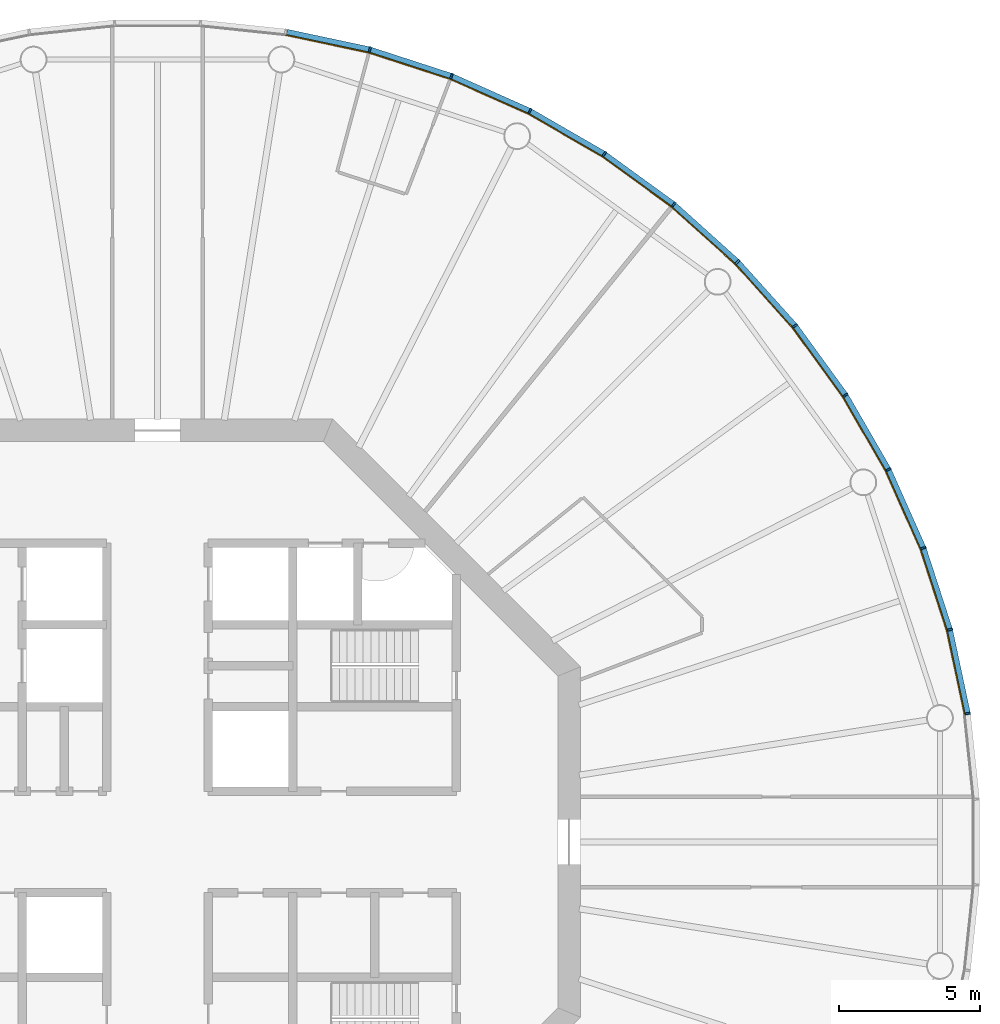
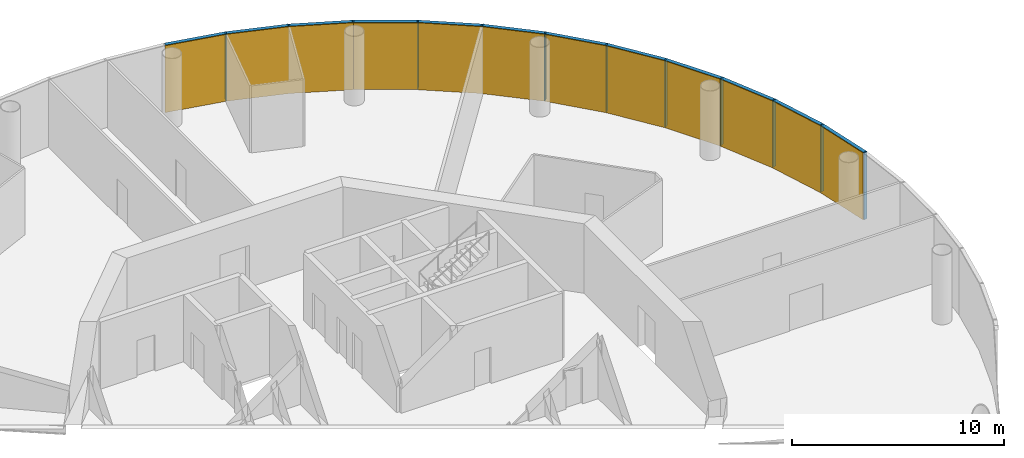
# One storey, part 12 of 13: 24 members, 4 curtain walls.
"""IFC4 building model written with IfcOpenShell, lengths in metres."""

from ifc_helpers import new_model, si_unit, direction, frame, origin, origin_2d, place, context, subcontext, project, spatial, polyline, rectangle, outline, extrude, material, layer, layer_set, material_profile, profile_set, type_object, element, aggregate, save


model = new_model("IFC4")

# Units and contexts
model_context = context("Model", 3, precision=1e-05, world=origin(), true_north=direction((0.0, 1.0)))
body_context = subcontext(model_context, "Body", "Model", "MODEL_VIEW")
ifc_project = project(units=[si_unit("LENGTHUNIT", "METRE"), si_unit("AREAUNIT", "SQUARE_METRE"), si_unit("VOLUMEUNIT", "CUBIC_METRE"), si_unit("PLANEANGLEUNIT", "RADIAN"), si_unit("MASSUNIT", "GRAM", prefix="KILO")], contexts=[model_context])

# Member
ifc_material_1 = material(Name="Anodised aluminium", Category="aluminium")
ifc_material_profile_1 = material_profile(ifc_material_1, rectangle(XDim=0.06494140625, YDim=0.195068359375, at=origin_2d()), Name="Mullion 65 x 195 mm anodised aluminium")
ifc_profile_set_1 = profile_set([ifc_material_profile_1], Name="Anodised aluminium")
member_type_1 = type_object("IfcMemberType", Name="Mullion 65 x 195 mm anodised aluminium", PredefinedType="MULLION", material=ifc_profile_set_1)
site_placement = place(None, origin())
building_placement = place(site_placement, origin())
storey_placement = place(building_placement, frame((0.0, 0.0, 278.0)))
member_1_placement = place(storey_placement, frame((118.7392578125, 84.5517578125, 0.0), z_axis=(0.0, 0.0, 1.0), x_axis=(-0.15643446504, 0.987688340595, 0.0)))
member_1 = element("IfcMember", 1, at=member_1_placement, type_object=member_type_1, Name="MULLION L63-00", PredefinedType="MULLION", context=body_context, shape_type="SweptSolid", body=[
    extrude(rectangle(XDim=0.06494140625, YDim=0.195068359375, at=origin_2d()), origin(), (0.0, 0.0, 1.0), 3.85009765625),
])

member_2_placement = place(storey_placement, frame((118.10595703125, 87.531005859375, 0.0), z_axis=(0.0, 0.0, 1.0), x_axis=(-0.258819045103, 0.965925826289, 0.0)))
member_2 = element("IfcMember", 2, at=member_2_placement, type_object=member_type_1, Name="MULLION L63-01", PredefinedType="MULLION", context=body_context, shape_type="SweptSolid", body=[
    extrude(rectangle(XDim=0.06494140625, YDim=0.195068359375, at=origin_2d()), origin(), (0.0, 0.0, 1.0), 3.85009765625),
])

member_3_placement = place(storey_placement, frame((117.164794921875, 90.427490234375, 0.0), z_axis=(0.0, 0.0, 1.0), x_axis=(-0.358367949545, 0.933580426497, 0.0)))
member_3 = element("IfcMember", 3, at=member_3_placement, type_object=member_type_1, Name="MULLION L63-02", PredefinedType="MULLION", context=body_context, shape_type="SweptSolid", body=[
    extrude(rectangle(XDim=0.06494140625, YDim=0.195068359375, at=origin_2d()), origin(), (0.0, 0.0, 1.0), 3.85009765625),
])

member_4_placement = place(storey_placement, frame((115.926025390625, 93.2099609375, 0.0), z_axis=(0.0, 0.0, 1.0), x_axis=(-0.45399049974, 0.891006524188, 0.0)))
member_4 = element("IfcMember", 4, at=member_4_placement, type_object=member_type_1, Name="MULLION L63-03", PredefinedType="MULLION", context=body_context, shape_type="SweptSolid", body=[
    extrude(rectangle(XDim=0.06494140625, YDim=0.195068359375, at=origin_2d()), origin(), (0.0, 0.0, 1.0), 3.85009765625),
])

member_5_placement = place(storey_placement, frame((114.4033203125, 95.84765625, 0.0), z_axis=(0.0, 0.0, 1.0), x_axis=(-0.544639035015, 0.838670567945, 0.0)))
member_5 = element("IfcMember", 5, at=member_5_placement, type_object=member_type_1, Name="MULLION L63-04", PredefinedType="MULLION", context=body_context, shape_type="SweptSolid", body=[
    extrude(rectangle(XDim=0.06494140625, YDim=0.195068359375, at=origin_2d()), origin(), (0.0, 0.0, 1.0), 3.85009765625),
])

member_6_placement = place(storey_placement, frame((112.613037109375, 98.311767578125, 0.0), z_axis=(0.0, 0.0, 1.0), x_axis=(-0.62932039105, 0.777145961457, 0.0)))
member_6 = element("IfcMember", 6, at=member_6_placement, type_object=member_type_1, Name="MULLION L63-05", PredefinedType="MULLION", context=body_context, shape_type="SweptSolid", body=[
    extrude(rectangle(XDim=0.06494140625, YDim=0.195068359375, at=origin_2d()), origin(), (0.0, 0.0, 1.0), 3.85009765625),
])

member_7_placement = place(storey_placement, frame((110.574951171875, 100.574951171875, 0.0), z_axis=(0.0, 0.0, 1.0), x_axis=(-0.707106781187, 0.707106781187, 0.0)))
member_7 = element("IfcMember", 7, at=member_7_placement, type_object=member_type_1, Name="MULLION L63-06", PredefinedType="MULLION", context=body_context, shape_type="SweptSolid", body=[
    extrude(rectangle(XDim=0.06494140625, YDim=0.195068359375, at=origin_2d()), origin(), (0.0, 0.0, 1.0), 3.85009765625),
])

member_8_placement = place(storey_placement, frame((108.311767578125, 102.613037109375, 0.0), z_axis=(0.0, 0.0, 1.0), x_axis=(-0.777145961457, 0.62932039105, 0.0)))
member_8 = element("IfcMember", 8, at=member_8_placement, type_object=member_type_1, Name="MULLION L63-07", PredefinedType="MULLION", context=body_context, shape_type="SweptSolid", body=[
    extrude(rectangle(XDim=0.06494140625, YDim=0.195068359375, at=origin_2d()), origin(), (0.0, 0.0, 1.0), 3.85009765625),
])

member_9_placement = place(storey_placement, frame((105.84765625, 104.4033203125, 0.0), z_axis=(0.0, 0.0, 1.0), x_axis=(-0.838670567945, 0.544639035015, 0.0)))
member_9 = element("IfcMember", 9, at=member_9_placement, type_object=member_type_1, Name="MULLION L63-08", PredefinedType="MULLION", context=body_context, shape_type="SweptSolid", body=[
    extrude(rectangle(XDim=0.06494140625, YDim=0.195068359375, at=origin_2d()), origin(), (0.0, 0.0, 1.0), 3.85009765625),
])

member_10_placement = place(storey_placement, frame((103.2099609375, 105.926025390625, 0.0), z_axis=(0.0, 0.0, 1.0), x_axis=(-0.891006524188, 0.45399049974, 0.0)))
member_10 = element("IfcMember", 10, at=member_10_placement, type_object=member_type_1, Name="MULLION L63-09", PredefinedType="MULLION", context=body_context, shape_type="SweptSolid", body=[
    extrude(rectangle(XDim=0.06494140625, YDim=0.195068359375, at=origin_2d()), origin(), (0.0, 0.0, 1.0), 3.85009765625),
])

member_11_placement = place(storey_placement, frame((100.427490234375, 107.164794921875, 0.0), z_axis=(0.0, 0.0, 1.0), x_axis=(-0.933580426497, 0.358367949545, 0.0)))
member_11 = element("IfcMember", 11, at=member_11_placement, type_object=member_type_1, Name="MULLION L63-10", PredefinedType="MULLION", context=body_context, shape_type="SweptSolid", body=[
    extrude(rectangle(XDim=0.06494140625, YDim=0.195068359375, at=origin_2d()), origin(), (0.0, 0.0, 1.0), 3.85009765625),
])

member_12_placement = place(storey_placement, frame((97.531005859375, 108.10595703125, 0.0), z_axis=(0.0, 0.0, 1.0), x_axis=(-0.965925826289, 0.258819045103, 0.0)))
member_12 = element("IfcMember", 12, at=member_12_placement, type_object=member_type_1, Name="MULLION L63-11", PredefinedType="MULLION", context=body_context, shape_type="SweptSolid", body=[
    extrude(rectangle(XDim=0.06494140625, YDim=0.195068359375, at=origin_2d()), origin(), (0.0, 0.0, 1.0), 3.85009765625),
])

ifc_material_2 = material(Name="Anodised aluminium", Category="aluminium")
ifc_material_profile_2 = material_profile(ifc_material_2, rectangle(XDim=0.195068359375, YDim=0.179931640625, at=origin_2d()), Name="Transom 180 x 195 mm anodised aluminium")
ifc_profile_set_2 = profile_set([ifc_material_profile_2], Name="Anodised aluminium")
member_type_2 = type_object("IfcMemberType", Name="Transom 180 x 195 mm anodised aluminium", PredefinedType="USERDEFINED", material=ifc_profile_set_2)
member_13_placement = place(storey_placement, frame((118.731689453125, 84.588623046875, 3.760009765625), z_axis=(-0.207940342877, 0.978141510112, 0.0), x_axis=(-0.978141510112, -0.207940342877, 0.0)))
member_13 = element("IfcMember", 13, at=member_13_placement, type_object=member_type_2, Name="TRANSOM L63-00", ObjectType="TRANSOM", PredefinedType="USERDEFINED", context=body_context, shape_type="SweptSolid", body=[
    extrude(rectangle(XDim=0.195068359375, YDim=0.179931640625, at=origin_2d()), origin(), (0.0, 0.0, 1.0), 2.970458984375),
])

member_14_placement = place(storey_placement, frame((118.094482421875, 87.56689453125, 3.760009765625), z_axis=(-0.309043326415, 0.951047960094, 0.0), x_axis=(-0.951047960094, -0.309043326415, 0.0)))
member_14 = element("IfcMember", 14, at=member_14_placement, type_object=member_type_2, Name="TRANSOM L63-01", ObjectType="TRANSOM", PredefinedType="USERDEFINED", context=body_context, shape_type="SweptSolid", body=[
    extrude(rectangle(XDim=0.195068359375, YDim=0.179931640625, at=origin_2d()), origin(), (0.0, 0.0, 1.0), 2.970458984375),
])

member_15_placement = place(storey_placement, frame((117.149658203125, 90.4619140625, 3.760009765625), z_axis=(-0.406725527369, 0.913550406593, 0.0), x_axis=(-0.913550406593, -0.406725527369, 0.0)))
member_15 = element("IfcMember", 15, at=member_15_placement, type_object=member_type_2, Name="TRANSOM L63-02", ObjectType="TRANSOM", PredefinedType="USERDEFINED", context=body_context, shape_type="SweptSolid", body=[
    extrude(rectangle(XDim=0.195068359375, YDim=0.179931640625, at=origin_2d()), origin(), (0.0, 0.0, 1.0), 2.970703125),
])

member_16_placement = place(storey_placement, frame((115.907470703125, 93.24267578125, 3.760009765625), z_axis=(-0.500028367561, 0.866009025146, 0.0), x_axis=(-0.866009025146, -0.500028367561, 0.0)))
member_16 = element("IfcMember", 16, at=member_16_placement, type_object=member_type_2, Name="TRANSOM L63-03", ObjectType="TRANSOM", PredefinedType="USERDEFINED", context=body_context, shape_type="SweptSolid", body=[
    extrude(rectangle(XDim=0.195068359375, YDim=0.179931640625, at=origin_2d()), origin(), (0.0, 0.0, 1.0), 2.970458984375),
])

member_17_placement = place(storey_placement, frame((114.381103515625, 95.878173828125, 3.760009765625), z_axis=(-0.587765987476, 0.809030990733, 0.0), x_axis=(-0.809030990733, -0.587765987476, 0.0)))
member_17 = element("IfcMember", 17, at=member_17_placement, type_object=member_type_2, Name="TRANSOM L63-04", ObjectType="TRANSOM", PredefinedType="USERDEFINED", context=body_context, shape_type="SweptSolid", body=[
    extrude(rectangle(XDim=0.195068359375, YDim=0.179931640625, at=origin_2d()), origin(), (0.0, 0.0, 1.0), 2.97021484375),
])

member_18_placement = place(storey_placement, frame((112.587890625, 98.339599609375, 3.760009765625), z_axis=(-0.669110027395, 0.743163354343, 0.0), x_axis=(-0.743163354343, -0.669110027395, 0.0)))
member_18 = element("IfcMember", 18, at=member_18_placement, type_object=member_type_2, Name="TRANSOM L63-05", ObjectType="TRANSOM", PredefinedType="USERDEFINED", context=body_context, shape_type="SweptSolid", body=[
    extrude(rectangle(XDim=0.195068359375, YDim=0.179931640625, at=origin_2d()), origin(), (0.0, 0.0, 1.0), 2.970458984375),
])

member_19_placement = place(storey_placement, frame((110.547119140625, 100.600341796875, 3.760009765625), z_axis=(-0.743163354343, 0.669110027395, 0.0), x_axis=(-0.669110027395, -0.743163354343, 0.0)))
member_19 = element("IfcMember", 19, at=member_19_placement, type_object=member_type_2, Name="TRANSOM L63-06", ObjectType="TRANSOM", PredefinedType="USERDEFINED", context=body_context, shape_type="SweptSolid", body=[
    extrude(rectangle(XDim=0.195068359375, YDim=0.179931640625, at=origin_2d()), origin(), (0.0, 0.0, 1.0), 2.970458984375),
])

member_20_placement = place(storey_placement, frame((108.28125, 102.63525390625, 3.760009765625), z_axis=(-0.809030990733, 0.587765987476, 0.0), x_axis=(-0.587765987476, -0.809030990733, 0.0)))
member_20 = element("IfcMember", 20, at=member_20_placement, type_object=member_type_2, Name="TRANSOM L63-07", ObjectType="TRANSOM", PredefinedType="USERDEFINED", context=body_context, shape_type="SweptSolid", body=[
    extrude(rectangle(XDim=0.195068359375, YDim=0.179931640625, at=origin_2d()), origin(), (0.0, 0.0, 1.0), 2.97021484375),
])

member_21_placement = place(storey_placement, frame((105.815185546875, 104.422119140625, 3.760009765625), z_axis=(-0.866009025146, 0.500028367561, 0.0), x_axis=(-0.500028367561, -0.866009025146, 0.0)))
member_21 = element("IfcMember", 21, at=member_21_placement, type_object=member_type_2, Name="TRANSOM L63-08", ObjectType="TRANSOM", PredefinedType="USERDEFINED", context=body_context, shape_type="SweptSolid", body=[
    extrude(rectangle(XDim=0.195068359375, YDim=0.179931640625, at=origin_2d()), origin(), (0.0, 0.0, 1.0), 2.970458984375),
])

member_22_placement = place(storey_placement, frame((103.17578125, 105.94140625, 3.760009765625), z_axis=(-0.913550406593, 0.406725527369, 0.0), x_axis=(-0.406725527369, -0.913550406593, 0.0)))
member_22 = element("IfcMember", 22, at=member_22_placement, type_object=member_type_2, Name="TRANSOM L63-09", ObjectType="TRANSOM", PredefinedType="USERDEFINED", context=body_context, shape_type="SweptSolid", body=[
    extrude(rectangle(XDim=0.195068359375, YDim=0.179931640625, at=origin_2d()), origin(), (0.0, 0.0, 1.0), 2.970703125),
])

member_23_placement = place(storey_placement, frame((100.391845703125, 107.176513671875, 3.760009765625), z_axis=(-0.951047960094, 0.309043326415, 0.0), x_axis=(-0.309043326415, -0.951047960094, 0.0)))
member_23 = element("IfcMember", 23, at=member_23_placement, type_object=member_type_2, Name="TRANSOM L63-10", ObjectType="TRANSOM", PredefinedType="USERDEFINED", context=body_context, shape_type="SweptSolid", body=[
    extrude(rectangle(XDim=0.195068359375, YDim=0.179931640625, at=origin_2d()), origin(), (0.0, 0.0, 1.0), 2.970458984375),
])

member_24_placement = place(storey_placement, frame((97.494140625, 108.114013671875, 3.760009765625), z_axis=(-0.978141510112, 0.207940342877, 0.0), x_axis=(-0.207940342877, -0.978141510112, 0.0)))
member_24 = element("IfcMember", 24, at=member_24_placement, type_object=member_type_2, Name="TRANSOM L63-11", ObjectType="TRANSOM", PredefinedType="USERDEFINED", context=body_context, shape_type="SweptSolid", body=[
    extrude(rectangle(XDim=0.195068359375, YDim=0.179931640625, at=origin_2d()), origin(), (0.0, 0.0, 1.0), 2.970458984375),
])

# Site, building, storey
site = spatial("IfcSite", under=ifc_project, at=site_placement, CompositionType="ELEMENT")
building = spatial("IfcBuilding", under=site, at=building_placement, Name="Entoto Ring Tower", CompositionType="ELEMENT")
storey = spatial("IfcBuildingStorey", under=building, at=storey_placement, Name="L63", CompositionType="ELEMENT", Elevation=278.0)

# Curtain wall
ifc_material_3 = material(Name="Clear low-iron glass", Category="glass")
ifc_layer = layer(ifc_material_3, 0.033935546875)
ifc_layer_set = layer_set([ifc_layer], Name="Clear low-iron glass")
curtain_wall_type = type_object("IfcCurtainWallType", Name="Curtain wall system CW5 glazing 34 mm", PredefinedType="NOTDEFINED", material=ifc_layer_set)
curtain_wall_1_placement = place(storey_placement, origin())
curtain_wall_1 = element("IfcCurtainWall", 25, at=curtain_wall_1_placement, inside=storey, type_object=curtain_wall_type, Name="CW5 L63-01", PredefinedType="NOTDEFINED", context=body_context, shape_type="SweptSolid", body=[
    extrude(outline(polyline([(118.64306640625, 84.53662109375), (118.011962890625, 87.505859375), (117.07373046875, 90.392578125), (115.839111328125, 93.165771484375), (115.808837890625, 93.150146484375), (117.0419921875, 90.38037109375), (117.97900390625, 87.496826171875), (118.609375, 84.53125), (118.64306640625, 84.53662109375)])), origin(), (0.0, 0.0, 1.0), 3.85009765625),
])

aggregate(curtain_wall_1, [member_1, member_2, member_3, member_13, member_14, member_15])

curtain_wall_2_placement = place(storey_placement, origin())
curtain_wall_2 = element("IfcCurtainWall", 26, at=curtain_wall_2_placement, inside=storey, type_object=curtain_wall_type, Name="CW5 L63-02", PredefinedType="NOTDEFINED", context=body_context, shape_type="SweptSolid", body=[
    extrude(outline(polyline([(115.839111328125, 93.165771484375), (114.321533203125, 95.79443359375), (112.537353515625, 98.250244140625), (110.506103515625, 100.506103515625), (110.48193359375, 100.48193359375), (112.5107421875, 98.228759765625), (114.29296875, 95.77587890625), (115.808837890625, 93.150146484375), (115.839111328125, 93.165771484375)])), origin(), (0.0, 0.0, 1.0), 3.85009765625),
])

aggregate(curtain_wall_2, [member_4, member_5, member_6, member_16, member_17, member_18])

curtain_wall_3_placement = place(storey_placement, origin())
curtain_wall_3 = element("IfcCurtainWall", 27, at=curtain_wall_3_placement, inside=storey, type_object=curtain_wall_type, Name="CW5 L63-03", PredefinedType="NOTDEFINED", context=body_context, shape_type="SweptSolid", body=[
    extrude(outline(polyline([(110.506103515625, 100.506103515625), (108.250244140625, 102.537353515625), (105.79443359375, 104.321533203125), (103.165771484375, 105.839111328125), (103.150146484375, 105.808837890625), (105.77587890625, 104.29296875), (108.228759765625, 102.5107421875), (110.48193359375, 100.48193359375), (110.506103515625, 100.506103515625)])), origin(), (0.0, 0.0, 1.0), 3.85009765625),
])

aggregate(curtain_wall_3, [member_7, member_8, member_9, member_19, member_20, member_21])

curtain_wall_4_placement = place(storey_placement, origin())
curtain_wall_4 = element("IfcCurtainWall", 28, at=curtain_wall_4_placement, inside=storey, type_object=curtain_wall_type, Name="CW5 L63-04", PredefinedType="NOTDEFINED", context=body_context, shape_type="SweptSolid", body=[
    extrude(outline(polyline([(103.165771484375, 105.839111328125), (100.392578125, 107.07373046875), (97.505859375, 108.011962890625), (94.53662109375, 108.64306640625), (94.53125, 108.609375), (97.496826171875, 107.97900390625), (100.38037109375, 107.0419921875), (103.150146484375, 105.808837890625), (103.165771484375, 105.839111328125)])), origin(), (0.0, 0.0, 1.0), 3.85009765625),
])

aggregate(curtain_wall_4, [member_10, member_11, member_12, member_22, member_23, member_24])

save(model, "model.ifc")
